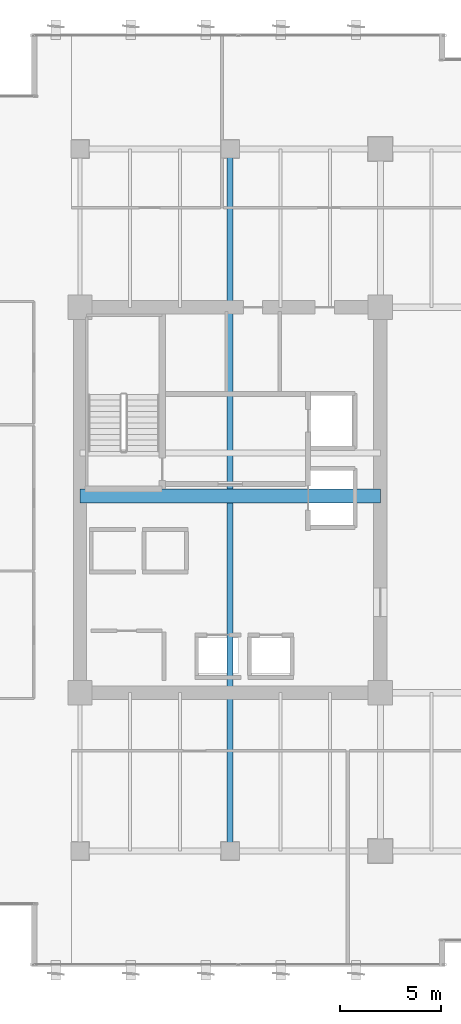
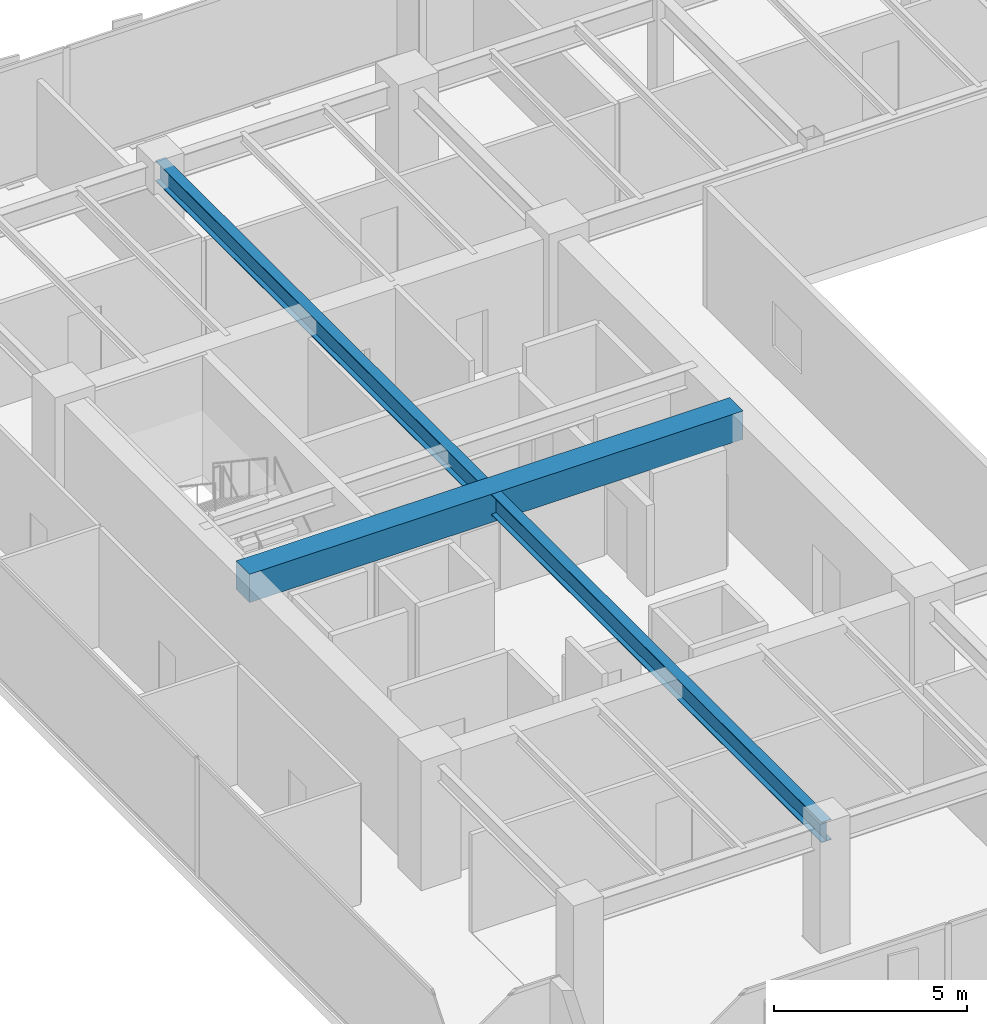
# One storey, part 7 of 34: 2 beams.
"""IFC4 building model written with IfcOpenShell, lengths in metres."""

import ifcopenshell
import ifcopenshell.guid

model = None  # the IFC model being written
_history = None  # IfcOwnerHistory: only IFC2X3 demands one
_inside = {}  # id of a spatial element -> (the spatial element, [elements in it])
_under = {}  # id of a project, library or spatial element -> (it, [spatial elements below it])
_declared = {}  # id of a project -> (the project, [libraries it declares])
_typed = {}  # id of a type object -> (the type object, [elements of that type])
_made_of = {}  # id of a material, layer set ... -> (it, [elements and type objects made of it])


def new_model(schema):
    """Start an empty IFC model of exactly this schema.

    Asked for "IFC4X3", IfcOpenShell would pick the latest addendum, in which some entities
    have other attributes; the version numbers below select the first issue.
    IFC2X3 requires an IfcOwnerHistory on every rooted entity: one is made here for all.
    """
    global model, _history
    if schema == "IFC4X3":
        model = ifcopenshell.file(schema_version=(4, 3, 0, 0))
    else:
        model = ifcopenshell.file(schema=schema)
    _inside.clear()
    _under.clear()
    _declared.clear()
    _typed.clear()
    _made_of.clear()
    _history = None
    if model.schema == "IFC2X3":
        org = make("IfcOrganization", Name="unknown")
        user = make(
            "IfcPersonAndOrganization",
            ThePerson=make("IfcPerson", FamilyName="unknown"),
            TheOrganization=org,
        )
        app = make(
            "IfcApplication",
            ApplicationDeveloper=org,
            Version="unknown",
            ApplicationFullName="unknown",
            ApplicationIdentifier="unknown",
        )
        _history = make(
            "IfcOwnerHistory",
            OwningUser=user,
            OwningApplication=app,
            ChangeAction="ADDED",
            CreationDate=0,
        )
    return model


def make(cls, **values):
    """One entity of the class cls with the attributes given. An attribute that is None is left unset."""
    return model.create_entity(
        cls, **{name: value for name, value in values.items() if value is not None}
    )


def rooted(cls, **values):
    """An entity with a GlobalId (a new one), such as an element, a storey or a relation."""
    return make(cls, GlobalId=ifcopenshell.guid.new(), OwnerHistory=_history, **values)


def si_unit(unit_type, name, prefix=None):
    """IfcSIUnit, for example si_unit("LENGTHUNIT", "METRE", prefix="MILLI")."""
    return make("IfcSIUnit", UnitType=unit_type, Prefix=prefix, Name=name)


def assignment(units):
    """IfcUnitAssignment: the units of a project."""
    return None if units is None else make("IfcUnitAssignment", Units=units)


def point(xyz):
    """IfcCartesianPoint."""
    return None if xyz is None else make("IfcCartesianPoint", Coordinates=xyz)


def direction(xyz):
    """IfcDirection."""
    return None if xyz is None else make("IfcDirection", DirectionRatios=xyz)


def frame(location, z_axis=None, x_axis=None):
    """IfcAxis2Placement3D, a coordinate frame: its origin and axes. An axis left out is left unset."""
    return make(
        "IfcAxis2Placement3D",
        Location=point(location),
        Axis=direction(z_axis),
        RefDirection=direction(x_axis),
    )


def frame_2d(location, x_axis=None):
    """IfcAxis2Placement2D, a coordinate frame in the plane: its origin and x axis."""
    return make(
        "IfcAxis2Placement2D", Location=point(location), RefDirection=direction(x_axis)
    )


def origin():
    """The frame at (0, 0, 0) with its axes left unset."""
    return frame((0.0, 0.0, 0.0))


def origin_2d():
    """The frame at (0, 0) in the plane with its x axis left unset."""
    return frame_2d((0.0, 0.0))


def place(relative_to, where):
    """IfcLocalPlacement: puts the frame where relative to a parent placement (None: the world)."""
    return make(
        "IfcLocalPlacement", PlacementRelTo=relative_to, RelativePlacement=where
    )


def context(
    kind, dimensions, precision=None, world=None, true_north=None, identifier=None
):
    """IfcGeometricRepresentationContext, for example the 3D "Model" context."""
    return make(
        "IfcGeometricRepresentationContext",
        ContextIdentifier=identifier,
        ContextType=kind,
        CoordinateSpaceDimension=dimensions,
        Precision=precision,
        WorldCoordinateSystem=world,
        TrueNorth=true_north,
    )


def subcontext(parent, identifier, kind, view, scale=None):
    """IfcGeometricRepresentationSubContext, for example "Body" below "Model"."""
    return make(
        "IfcGeometricRepresentationSubContext",
        ContextIdentifier=identifier,
        ContextType=kind,
        ParentContext=parent,
        TargetScale=scale,
        TargetView=view,
    )


def project(units=None, contexts=None):
    """IfcProject with its units and contexts."""
    return rooted(
        "IfcProject",
        Name="project",
        RepresentationContexts=contexts,
        UnitsInContext=assignment(units),
    )


def spatial(cls, under=None, at=None, **own):
    """A site, building, storey or space (cls), placed at a placement, below another one or the project."""
    s = rooted(cls, ObjectPlacement=at, **own)
    if under is not None:
        _under.setdefault(under.id(), (under, []))[1].append(s)
    return s


def profile(cls, at=None, kind="AREA", **sizes):
    """A parametric profile (cls). Its sizes go by their IFC names, for example OverallWidth=200.0."""
    return make(cls, ProfileType=kind, Position=at, **sizes)


def rectangle(**sizes):
    """IfcRectangleProfileDef."""
    return profile("IfcRectangleProfileDef", **sizes)


def i_section(**sizes):
    """IfcIShapeProfileDef."""
    return profile("IfcIShapeProfileDef", **sizes)


def extrude(swept, where, along, depth):
    """IfcExtrudedAreaSolid: the profile swept, set in the frame where, extruded along a direction by depth."""
    return make(
        "IfcExtrudedAreaSolid",
        SweptArea=swept,
        Position=where,
        ExtrudedDirection=direction(along),
        Depth=depth,
    )


def shape(context_of_items, identifier, shape_type, items):
    """IfcShapeRepresentation: the items that make up one representation, for example the "Body"."""
    return make(
        "IfcShapeRepresentation",
        ContextOfItems=context_of_items,
        RepresentationIdentifier=identifier,
        RepresentationType=shape_type,
        Items=items,
    )


def source(mapping_origin, context_of_items, identifier, shape_type, items):
    """IfcRepresentationMap: a shape defined once, which mapped items show again and again."""
    return make(
        "IfcRepresentationMap",
        MappingOrigin=mapping_origin,
        MappedRepresentation=shape(context_of_items, identifier, shape_type, items),
    )


def transform(
    local_origin,
    x_axis=None,
    y_axis=None,
    z_axis=None,
    scale=None,
    scale2=None,
    scale3=None,
    uniform=True,
):
    """IfcCartesianTransformationOperator3D, or its non-uniform kind. x_axis, y_axis, z_axis: its Axis1, 2, 3."""
    if uniform:
        return make(
            "IfcCartesianTransformationOperator3D",
            Axis1=direction(x_axis),
            Axis2=direction(y_axis),
            LocalOrigin=point(local_origin),
            Scale=scale,
            Axis3=direction(z_axis),
        )
    return make(
        "IfcCartesianTransformationOperator3DnonUniform",
        Axis1=direction(x_axis),
        Axis2=direction(y_axis),
        LocalOrigin=point(local_origin),
        Scale=scale,
        Axis3=direction(z_axis),
        Scale2=scale2,
        Scale3=scale3,
    )


def mapped(mapping_source, mapping_target):
    """IfcMappedItem: shows the shape of a source again, moved by a transform."""
    return make(
        "IfcMappedItem", MappingSource=mapping_source, MappingTarget=mapping_target
    )


def material(Name=None, Category=None):
    """IfcMaterial."""
    return make("IfcMaterial", Name=Name, Category=Category)


def material_profile(
    of_material, cross_section, Name=None, Category=None, Priority=None
):
    """IfcMaterialProfile: a cross section and its material."""
    return make(
        "IfcMaterialProfile",
        Name=Name,
        Material=of_material,
        Profile=cross_section,
        Priority=Priority,
        Category=Category,
    )


def profile_set(profiles, Name=None, composite=None):
    """IfcMaterialProfileSet."""
    return make(
        "IfcMaterialProfileSet",
        Name=Name,
        MaterialProfiles=profiles,
        CompositeProfile=composite,
    )


def made_of(thing, what):
    """Note that an element or type object is made of a material, layer set ...; save() writes the relation."""
    if what is not None:
        _made_of.setdefault(what.id(), (what, []))[1].append(thing)
    return thing


def type_object(cls, material=None, **own):
    """A type object (cls), such as IfcWallType, which elements share."""
    return made_of(rooted(cls, **own), material)


def type_shapes(of_type, sources):
    """Give a type object the sources (RepresentationMaps) that its elements show as mapped items."""
    of_type.RepresentationMaps = sources


def element(
    cls,
    number,
    at=None,
    inside=None,
    cuts=None,
    type_object=None,
    material=None,
    context=None,
    identifier="Body",
    shape_type=None,
    held_by="IfcProductDefinitionShape",
    body=None,
    shapes=None,
    **own,
):
    """One element of the class cls, such as IfcWall. Its Tag is "e" and its number.

    at: its placement. inside: the storey or other place that contains it. cuts: it is an
    opening in that element (IfcRelVoidsElement). A single representation is given by context,
    identifier, shape_type and body (its items); several are given by shapes. held_by: the class
    of the entity that holds the representations. save() writes the other relations.
    """
    e = rooted(cls, Tag="e%d" % number, ObjectPlacement=at, **own)
    if body is not None:
        shapes = [shape(context, identifier, shape_type, body)]
    if shapes is not None:
        e.Representation = make(held_by, Representations=shapes)
    if inside is not None:
        _inside.setdefault(inside.id(), (inside, []))[1].append(e)
    if cuts is not None:
        rooted(
            "IfcRelVoidsElement", RelatingBuildingElement=cuts, RelatedOpeningElement=e
        )
    if type_object is not None:
        _typed.setdefault(type_object.id(), (type_object, []))[1].append(e)
    return made_of(e, material)


def aggregate(whole, parts):
    """IfcRelAggregates: a whole, such as a stair, and the parts it consists of."""
    return rooted("IfcRelAggregates", RelatingObject=whole, RelatedObjects=parts)


def save(model, path):
    """Write the relations noted so far, then the file.

    IfcRelAggregates (storeys below a building ...), IfcRelContainedInSpatialStructure (elements
    in a storey), IfcRelDefinesByType, IfcRelAssociatesMaterial and IfcRelDeclares: one each for
    every whole, place, type object, material and project.
    """
    for whole, parts in _under.values():
        aggregate(whole, parts)
    for where, things in _inside.values():
        rooted(
            "IfcRelContainedInSpatialStructure",
            RelatedElements=things,
            RelatingStructure=where,
        )
    for kind, things in _typed.values():
        rooted("IfcRelDefinesByType", RelatedObjects=things, RelatingType=kind)
    for what, things in _made_of.values():
        rooted("IfcRelAssociatesMaterial", RelatedObjects=things, RelatingMaterial=what)
    for by, libraries in _declared.values():
        rooted("IfcRelDeclares", RelatingContext=by, RelatedDefinitions=libraries)
    model.write(path)


model = new_model("IFC4")

# Units and contexts
model_context = context("Model", 3, precision=1e-05, world=origin(), true_north=direction((0.0, 1.0)))
body_context = subcontext(model_context, "Body", "Model", "MODEL_VIEW")
ifc_project = project(units=[si_unit("LENGTHUNIT", "METRE"), si_unit("AREAUNIT", "SQUARE_METRE"), si_unit("VOLUMEUNIT", "CUBIC_METRE"), si_unit("PLANEANGLEUNIT", "RADIAN"), si_unit("MASSUNIT", "GRAM", prefix="KILO")], contexts=[model_context])

# Site, building, storey
site_placement = place(None, origin())
site = spatial("IfcSite", under=ifc_project, at=site_placement, CompositionType="ELEMENT")
building_placement = place(site_placement, origin())
building = spatial("IfcBuilding", under=site, at=building_placement, Name="Haelvirn Gate Laboratories", CompositionType="ELEMENT")
storey_placement = place(building_placement, frame((0.0, 0.0, 109.199951171875)))
storey = spatial("IfcBuildingStorey", under=building, at=storey_placement, Name="L26", CompositionType="ELEMENT", Elevation=109.199951171875)

# Beams
ifc_material_1 = material(Name="Concrete C60/75", Category="concrete")
ifc_material_profile_1 = material_profile(ifc_material_1, rectangle(XDim=0.699951171875, YDim=0.89990234375, at=origin_2d()), Name="RCB-700x900")
ifc_profile_set_1 = profile_set([ifc_material_profile_1], Name="Concrete C60/75")
beam_type_1 = type_object("IfcBeamType", Name="BM-RCB-900", PredefinedType="LINTEL", material=ifc_profile_set_1)
shared_shape_1 = source(origin(), body_context, "Body", "SweptSolid", [
    extrude(rectangle(XDim=0.699951171875, YDim=0.89990234375, at=origin_2d()), origin(), (0.0, 0.0, 1.0), 14.800048828125),
])
type_shapes(beam_type_1, [shared_shape_1])
beam_1_placement = place(storey_placement, frame((7.39990234375, 24.5, 3.340087890625), z_axis=(1.0, 0.0, 0.0), x_axis=(0.0, 1.0, 0.0)))
element("IfcBeam", 1, at=beam_1_placement, inside=storey, type_object=beam_type_1, Name="L26 West Core Coupling Beam", PredefinedType="LINTEL", context=body_context, shape_type="MappedRepresentation", body=[
    mapped(shared_shape_1, transform((0.0, 0.0, 0.0), scale=1.0)),
])
ifc_material_2 = material(Name="Steel SM355", Category="steel")
ifc_material_profile_2 = material_profile(ifc_material_2, i_section(OverallWidth=0.300048828125, OverallDepth=0.64990234375, WebThickness=0.012939453125, FlangeThickness=0.02197265625, at=origin_2d()), Name="H-650x300x13x22")
ifc_profile_set_2 = profile_set([ifc_material_profile_2], Name="Steel SM355")
beam_type_2 = type_object("IfcBeamType", Name="BM-G-650", PredefinedType="BEAM", material=ifc_profile_set_2)
shared_shape_2 = source(origin(), body_context, "Body", "SweptSolid", [
    extrude(i_section(OverallWidth=0.300048828125, OverallDepth=0.64990234375, WebThickness=0.012939453125, FlangeThickness=0.02197265625, at=origin_2d()), origin(), (0.0, 0.0, 1.0), 34.60009765625),
])
type_shapes(beam_type_2, [shared_shape_2])
beam_2_placement = place(storey_placement, frame((14.800048828125, 7.0, 3.465087890625), z_axis=(0.0, 1.0, 0.0), x_axis=(-1.0, 0.0, 0.0)))
element("IfcBeam", 2, at=beam_2_placement, inside=storey, type_object=beam_type_2, Name="L26 Frame Girder X14.8 (7.0-41.6)", PredefinedType="BEAM", context=body_context, shape_type="MappedRepresentation", body=[
    mapped(shared_shape_2, transform((0.0, 0.0, 0.0), scale=1.0)),
])

save(model, "model.ifc")
